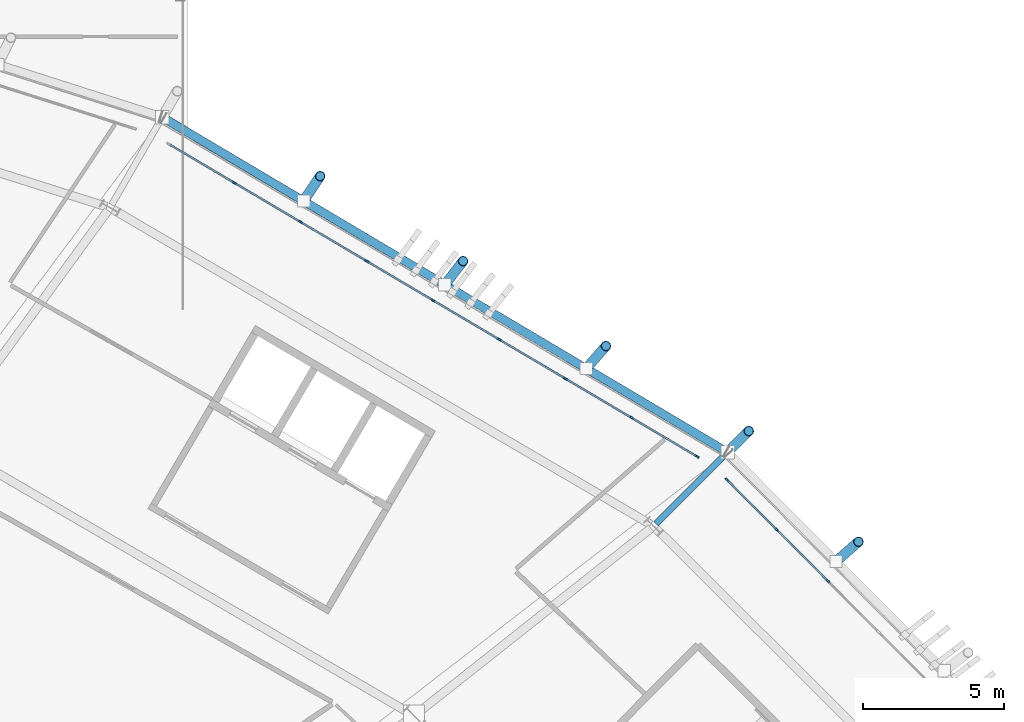
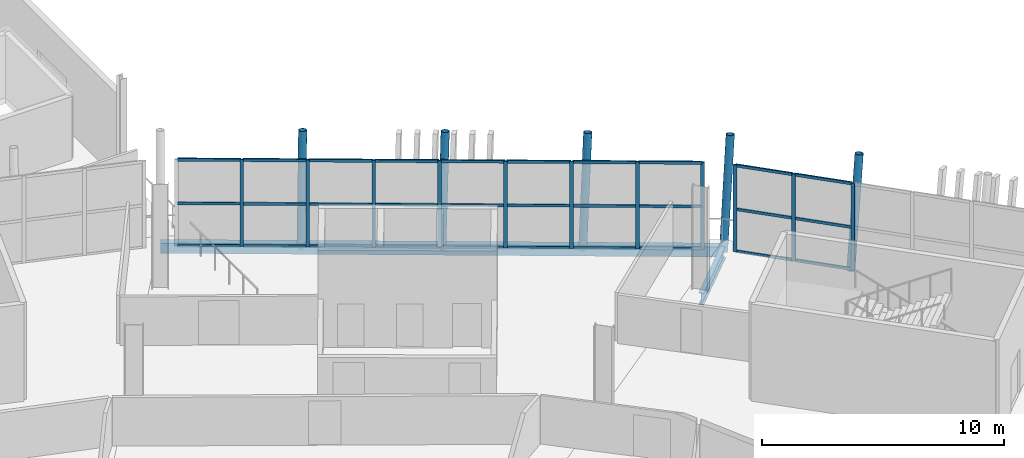
# One storey, part 78 of 168: 46 members, 2 beams, 2 elements without a shape of their own.
"""IFC4 building model written with IfcOpenShell, lengths in metres."""

from ifc_helpers import new_model, si_unit, direction, frame, origin, origin_2d, place, context, subcontext, project, spatial, rectangle, hollow_rectangle, hollow_circle, i_section, extrude, material, material_profile, profile_set, type_object, element, aggregate, save


model = new_model("IFC4")

# Units and contexts
model_context = context("Model", 3, precision=1e-05, world=origin(), true_north=direction((0.0, 1.0)))
body_context = subcontext(model_context, "Body", "Model", "MODEL_VIEW")
ifc_project = project(units=[si_unit("LENGTHUNIT", "METRE"), si_unit("AREAUNIT", "SQUARE_METRE"), si_unit("VOLUMEUNIT", "CUBIC_METRE"), si_unit("PLANEANGLEUNIT", "RADIAN"), si_unit("MASSUNIT", "GRAM", prefix="KILO")], contexts=[model_context])

# Site, building, storey
site_placement = place(None, origin())
site = spatial("IfcSite", under=ifc_project, at=site_placement, CompositionType="ELEMENT")
building_placement = place(site_placement, origin())
building = spatial("IfcBuilding", under=site, at=building_placement, Name="Zlatoyarsky Gate Stadium", CompositionType="ELEMENT")
storey_placement = place(building_placement, frame((0.0, 0.0, 15.60009765625)))
storey = spatial("IfcBuildingStorey", under=building, at=storey_placement, Name="L03", CompositionType="ELEMENT", Elevation=15.60009765625)

# Curtain wall, members
ifc_material_1 = material(Name="Thermally broken anodised aluminium curtain wall", Category="aluminium")
curtain_wall_type = type_object("IfcCurtainWallType", Name="UNITISED CORPORATE BOX GLAZING L03", PredefinedType="USERDEFINED", material=ifc_material_1)
curtain_wall_1_placement = place(storey_placement, origin())
curtain_wall_1 = element("IfcCurtainWall", 1, at=curtain_wall_1_placement, inside=storey, type_object=curtain_wall_type, Name="Curtain wall CW-L03-02", ObjectType="UNITISED GLAZING", PredefinedType="USERDEFINED")
ifc_material_2 = material(Name="Anodised aluminium 6063-T6", Category="aluminium")
ifc_material_profile_1 = material_profile(ifc_material_2, rectangle(XDim=0.06494140625, YDim=0.159912109375, at=origin_2d()), Name="ALU 65X160")
ifc_profile_set_1 = profile_set([ifc_material_profile_1], Name="Anodised aluminium 6063-T6")
member_type_1 = type_object("IfcMemberType", Name="ALUMINIUM MULLION 65X160", PredefinedType="MULLION", material=ifc_profile_set_1)
member_1_placement = place(storey_placement, frame((182.92724609375, 128.265625, 0.0), z_axis=(0.0, 0.0, 1.0), x_axis=(-0.708721143054, -0.705488725202, 0.0)))
member_1 = element("IfcMember", 2, at=member_1_placement, type_object=member_type_1, Name="CW-UG3 mullion 7", PredefinedType="MULLION", context=body_context, shape_type="SweptSolid", body=[
    extrude(rectangle(XDim=0.06494140625, YDim=0.159912109375, at=origin_2d()), origin(), (0.0, 0.0, 1.0), 4.3798828125),
])
member_2_placement = place(storey_placement, frame((181.134765625, 130.066162109375, 0.0), z_axis=(0.0, 0.0, 1.0), x_axis=(-0.708721143054, -0.705488725202, 0.0)))
member_2 = element("IfcMember", 3, at=member_2_placement, type_object=member_type_1, Name="CW-UG3 mullion 8", PredefinedType="MULLION", context=body_context, shape_type="SweptSolid", body=[
    extrude(rectangle(XDim=0.06494140625, YDim=0.159912109375, at=origin_2d()), origin(), (0.0, 0.0, 1.0), 4.3798828125),
])
member_3_placement = place(storey_placement, frame((179.365234375, 131.84375, 0.0), z_axis=(0.0, 0.0, 1.0), x_axis=(-0.708721143054, -0.705488725202, 0.0)))
member_3 = element("IfcMember", 4, at=member_3_placement, type_object=member_type_1, Name="CW-UG3 mullion 9", PredefinedType="MULLION", context=body_context, shape_type="SweptSolid", body=[
    extrude(rectangle(XDim=0.06494140625, YDim=0.159912109375, at=origin_2d()), origin(), (0.0, 0.0, 1.0), 4.3798828125),
])

curtain_wall_2_placement = place(storey_placement, origin())
curtain_wall_2 = element("IfcCurtainWall", 5, at=curtain_wall_2_placement, inside=storey, type_object=curtain_wall_type, Name="Curtain wall CW-L03-03", ObjectType="UNITISED GLAZING", PredefinedType="USERDEFINED")
member_4_placement = place(storey_placement, frame((178.29638671875, 132.675048828125, 0.0), z_axis=(0.0, 0.0, 1.0), x_axis=(-0.509098466593, -0.860708284678, 0.0)))
member_4 = element("IfcMember", 6, at=member_4_placement, type_object=member_type_1, Name="CW-UG3 mullion 1", PredefinedType="MULLION", context=body_context, shape_type="SweptSolid", body=[
    extrude(rectangle(XDim=0.06494140625, YDim=0.159912109375, at=origin_2d()), origin(), (0.0, 0.0, 1.0), 4.3798828125),
])
member_5_placement = place(storey_placement, frame((175.978759765625, 134.045654296875, 0.0), z_axis=(0.0, 0.0, 1.0), x_axis=(-0.509098466593, -0.860708284678, 0.0)))
member_5 = element("IfcMember", 7, at=member_5_placement, type_object=member_type_1, Name="CW-UG3 mullion 2", PredefinedType="MULLION", context=body_context, shape_type="SweptSolid", body=[
    extrude(rectangle(XDim=0.06494140625, YDim=0.159912109375, at=origin_2d()), origin(), (0.0, 0.0, 1.0), 4.3798828125),
])
member_6_placement = place(storey_placement, frame((173.63330078125, 135.43310546875, 0.0), z_axis=(0.0, 0.0, 1.0), x_axis=(-0.509098466593, -0.860708284678, 0.0)))
member_6 = element("IfcMember", 8, at=member_6_placement, type_object=member_type_1, Name="CW-UG3 mullion 3", PredefinedType="MULLION", context=body_context, shape_type="SweptSolid", body=[
    extrude(rectangle(XDim=0.06494140625, YDim=0.159912109375, at=origin_2d()), origin(), (0.0, 0.0, 1.0), 4.3798828125),
])
member_7_placement = place(storey_placement, frame((171.287841796875, 136.8203125, 0.0), z_axis=(0.0, 0.0, 1.0), x_axis=(-0.509098466593, -0.860708284678, 0.0)))
member_7 = element("IfcMember", 9, at=member_7_placement, type_object=member_type_1, Name="CW-UG3 mullion 4", PredefinedType="MULLION", context=body_context, shape_type="SweptSolid", body=[
    extrude(rectangle(XDim=0.06494140625, YDim=0.159912109375, at=origin_2d()), origin(), (0.0, 0.0, 1.0), 4.3798828125),
])
member_8_placement = place(storey_placement, frame((168.9423828125, 138.207763671875, 0.0), z_axis=(0.0, 0.0, 1.0), x_axis=(-0.509098466593, -0.860708284678, 0.0)))
member_8 = element("IfcMember", 10, at=member_8_placement, type_object=member_type_1, Name="CW-UG3 mullion 5", PredefinedType="MULLION", context=body_context, shape_type="SweptSolid", body=[
    extrude(rectangle(XDim=0.06494140625, YDim=0.159912109375, at=origin_2d()), origin(), (0.0, 0.0, 1.0), 4.3798828125),
])
member_9_placement = place(storey_placement, frame((166.596923828125, 139.594970703125, 0.0), z_axis=(0.0, 0.0, 1.0), x_axis=(-0.509098466593, -0.860708284678, 0.0)))
member_9 = element("IfcMember", 11, at=member_9_placement, type_object=member_type_1, Name="CW-UG3 mullion 6", PredefinedType="MULLION", context=body_context, shape_type="SweptSolid", body=[
    extrude(rectangle(XDim=0.06494140625, YDim=0.159912109375, at=origin_2d()), origin(), (0.0, 0.0, 1.0), 4.3798828125),
])
member_10_placement = place(storey_placement, frame((164.25146484375, 140.982177734375, 0.0), z_axis=(0.0, 0.0, 1.0), x_axis=(-0.509098466593, -0.860708284678, 0.0)))
member_10 = element("IfcMember", 12, at=member_10_placement, type_object=member_type_1, Name="CW-UG3 mullion 7", PredefinedType="MULLION", context=body_context, shape_type="SweptSolid", body=[
    extrude(rectangle(XDim=0.06494140625, YDim=0.159912109375, at=origin_2d()), origin(), (0.0, 0.0, 1.0), 4.3798828125),
])
member_11_placement = place(storey_placement, frame((161.906005859375, 142.36962890625, 0.0), z_axis=(0.0, 0.0, 1.0), x_axis=(-0.509098466593, -0.860708284678, 0.0)))
member_11 = element("IfcMember", 13, at=member_11_placement, type_object=member_type_1, Name="CW-UG3 mullion 8", PredefinedType="MULLION", context=body_context, shape_type="SweptSolid", body=[
    extrude(rectangle(XDim=0.06494140625, YDim=0.159912109375, at=origin_2d()), origin(), (0.0, 0.0, 1.0), 4.3798828125),
])

# Member
ifc_material_profile_2 = material_profile(ifc_material_2, rectangle(XDim=0.06494140625, YDim=0.139892578125, at=origin_2d()), Name="ALU 65X140")
ifc_profile_set_2 = profile_set([ifc_material_profile_2], Name="Anodised aluminium 6063-T6")
member_type_2 = type_object("IfcMemberType", Name="ALUMINIUM TRANSOM 65X140", PredefinedType="USERDEFINED", material=ifc_profile_set_2)
member_12_placement = place(storey_placement, frame((182.904296875, 128.28857421875, 0.032470703125), z_axis=(-0.705477793712, 0.708732024519, 0.0), x_axis=(-0.708732024519, -0.705477793712, 0.0)))
member_12 = element("IfcMember", 14, at=member_12_placement, type_object=member_type_2, Name="CW-UG3 transom 7.1", ObjectType="TRANSOM", PredefinedType="USERDEFINED", context=body_context, shape_type="SweptSolid", body=[
    extrude(rectangle(XDim=0.06494140625, YDim=0.139892578125, at=origin_2d()), origin(), (0.0, 0.0, 1.0), 2.475830078125),
])

member_13_placement = place(storey_placement, frame((182.904296875, 128.28857421875, 2.14990234375), z_axis=(-0.705477793712, 0.708732024519, 0.0), x_axis=(-0.708732024519, -0.705477793712, 0.0)))
member_13 = element("IfcMember", 15, at=member_13_placement, type_object=member_type_2, Name="CW-UG3 transom 7.2", ObjectType="TRANSOM", PredefinedType="USERDEFINED", context=body_context, shape_type="SweptSolid", body=[
    extrude(rectangle(XDim=0.06494140625, YDim=0.139892578125, at=origin_2d()), origin(), (0.0, 0.0, 1.0), 2.475830078125),
])

member_14_placement = place(storey_placement, frame((182.904296875, 128.28857421875, 4.347412109375), z_axis=(-0.705477793712, 0.708732024519, 0.0), x_axis=(-0.708732024519, -0.705477793712, 0.0)))
member_14 = element("IfcMember", 16, at=member_14_placement, type_object=member_type_2, Name="CW-UG3 transom 7.3", ObjectType="TRANSOM", PredefinedType="USERDEFINED", context=body_context, shape_type="SweptSolid", body=[
    extrude(rectangle(XDim=0.06494140625, YDim=0.139892578125, at=origin_2d()), origin(), (0.0, 0.0, 1.0), 2.475830078125),
])

member_15_placement = place(storey_placement, frame((181.11181640625, 130.089111328125, 0.032470703125), z_axis=(-0.705456130135, 0.708753587967, 0.0), x_axis=(-0.708753587967, -0.705456130135, 0.0)))
member_15 = element("IfcMember", 17, at=member_15_placement, type_object=member_type_2, Name="CW-UG3 transom 8.1", ObjectType="TRANSOM", PredefinedType="USERDEFINED", context=body_context, shape_type="SweptSolid", body=[
    extrude(rectangle(XDim=0.06494140625, YDim=0.139892578125, at=origin_2d()), origin(), (0.0, 0.0, 1.0), 2.443359375),
])

member_16_placement = place(storey_placement, frame((181.11181640625, 130.089111328125, 2.14990234375), z_axis=(-0.705456130135, 0.708753587967, 0.0), x_axis=(-0.708753587967, -0.705456130135, 0.0)))
member_16 = element("IfcMember", 18, at=member_16_placement, type_object=member_type_2, Name="CW-UG3 transom 8.2", ObjectType="TRANSOM", PredefinedType="USERDEFINED", context=body_context, shape_type="SweptSolid", body=[
    extrude(rectangle(XDim=0.06494140625, YDim=0.139892578125, at=origin_2d()), origin(), (0.0, 0.0, 1.0), 2.443359375),
])

member_17_placement = place(storey_placement, frame((181.11181640625, 130.089111328125, 4.347412109375), z_axis=(-0.705456130135, 0.708753587967, 0.0), x_axis=(-0.708753587967, -0.705456130135, 0.0)))
member_17 = element("IfcMember", 19, at=member_17_placement, type_object=member_type_2, Name="CW-UG3 transom 8.3", ObjectType="TRANSOM", PredefinedType="USERDEFINED", context=body_context, shape_type="SweptSolid", body=[
    extrude(rectangle(XDim=0.06494140625, YDim=0.139892578125, at=origin_2d()), origin(), (0.0, 0.0, 1.0), 2.443359375),
])

aggregate(curtain_wall_1, [member_1, member_2, member_3, member_12, member_13, member_14, member_15, member_16, member_17])

member_18_placement = place(storey_placement, frame((178.268310546875, 132.69140625, 0.032470703125), z_axis=(-0.860706316995, 0.509101793244, 0.0), x_axis=(-0.509101793244, -0.860706316995, 0.0)))
member_18 = element("IfcMember", 20, at=member_18_placement, type_object=member_type_2, Name="CW-UG3 transom 1.1", ObjectType="TRANSOM", PredefinedType="USERDEFINED", context=body_context, shape_type="SweptSolid", body=[
    extrude(rectangle(XDim=0.06494140625, YDim=0.139892578125, at=origin_2d()), origin(), (0.0, 0.0, 1.0), 2.62744140625),
])

member_19_placement = place(storey_placement, frame((178.268310546875, 132.69140625, 2.14990234375), z_axis=(-0.860706316995, 0.509101793244, 0.0), x_axis=(-0.509101793244, -0.860706316995, 0.0)))
member_19 = element("IfcMember", 21, at=member_19_placement, type_object=member_type_2, Name="CW-UG3 transom 1.2", ObjectType="TRANSOM", PredefinedType="USERDEFINED", context=body_context, shape_type="SweptSolid", body=[
    extrude(rectangle(XDim=0.06494140625, YDim=0.139892578125, at=origin_2d()), origin(), (0.0, 0.0, 1.0), 2.62744140625),
])

member_20_placement = place(storey_placement, frame((178.268310546875, 132.69140625, 4.347412109375), z_axis=(-0.860706316995, 0.509101793244, 0.0), x_axis=(-0.509101793244, -0.860706316995, 0.0)))
member_20 = element("IfcMember", 22, at=member_20_placement, type_object=member_type_2, Name="CW-UG3 transom 1.3", ObjectType="TRANSOM", PredefinedType="USERDEFINED", context=body_context, shape_type="SweptSolid", body=[
    extrude(rectangle(XDim=0.06494140625, YDim=0.139892578125, at=origin_2d()), origin(), (0.0, 0.0, 1.0), 2.62744140625),
])

member_21_placement = place(storey_placement, frame((175.950927734375, 134.062255859375, 0.032470703125), z_axis=(-0.860707189663, 0.509100317878, 0.0), x_axis=(-0.509100317878, -0.860707189663, 0.0)))
member_21 = element("IfcMember", 23, at=member_21_placement, type_object=member_type_2, Name="CW-UG3 transom 2.1", ObjectType="TRANSOM", PredefinedType="USERDEFINED", context=body_context, shape_type="SweptSolid", body=[
    extrude(rectangle(XDim=0.06494140625, YDim=0.139892578125, at=origin_2d()), origin(), (0.0, 0.0, 1.0), 2.66015625),
])

member_22_placement = place(storey_placement, frame((175.950927734375, 134.062255859375, 2.14990234375), z_axis=(-0.860707189663, 0.509100317878, 0.0), x_axis=(-0.509100317878, -0.860707189663, 0.0)))
member_22 = element("IfcMember", 24, at=member_22_placement, type_object=member_type_2, Name="CW-UG3 transom 2.2", ObjectType="TRANSOM", PredefinedType="USERDEFINED", context=body_context, shape_type="SweptSolid", body=[
    extrude(rectangle(XDim=0.06494140625, YDim=0.139892578125, at=origin_2d()), origin(), (0.0, 0.0, 1.0), 2.66015625),
])

member_23_placement = place(storey_placement, frame((175.950927734375, 134.062255859375, 4.347412109375), z_axis=(-0.860707189663, 0.509100317878, 0.0), x_axis=(-0.509100317878, -0.860707189663, 0.0)))
member_23 = element("IfcMember", 25, at=member_23_placement, type_object=member_type_2, Name="CW-UG3 transom 2.3", ObjectType="TRANSOM", PredefinedType="USERDEFINED", context=body_context, shape_type="SweptSolid", body=[
    extrude(rectangle(XDim=0.06494140625, YDim=0.139892578125, at=origin_2d()), origin(), (0.0, 0.0, 1.0), 2.66015625),
])

member_24_placement = place(storey_placement, frame((173.60546875, 135.449462890625, 0.032470703125), z_axis=(-0.860707189663, 0.509100317878, 0.0), x_axis=(-0.509100317878, -0.860707189663, 0.0)))
member_24 = element("IfcMember", 26, at=member_24_placement, type_object=member_type_2, Name="CW-UG3 transom 3.1", ObjectType="TRANSOM", PredefinedType="USERDEFINED", context=body_context, shape_type="SweptSolid", body=[
    extrude(rectangle(XDim=0.06494140625, YDim=0.139892578125, at=origin_2d()), origin(), (0.0, 0.0, 1.0), 2.66015625),
])

member_25_placement = place(storey_placement, frame((173.60546875, 135.449462890625, 2.14990234375), z_axis=(-0.860707189663, 0.509100317878, 0.0), x_axis=(-0.509100317878, -0.860707189663, 0.0)))
member_25 = element("IfcMember", 27, at=member_25_placement, type_object=member_type_2, Name="CW-UG3 transom 3.2", ObjectType="TRANSOM", PredefinedType="USERDEFINED", context=body_context, shape_type="SweptSolid", body=[
    extrude(rectangle(XDim=0.06494140625, YDim=0.139892578125, at=origin_2d()), origin(), (0.0, 0.0, 1.0), 2.66015625),
])

member_26_placement = place(storey_placement, frame((173.60546875, 135.449462890625, 4.347412109375), z_axis=(-0.860707189663, 0.509100317878, 0.0), x_axis=(-0.509100317878, -0.860707189663, 0.0)))
member_26 = element("IfcMember", 28, at=member_26_placement, type_object=member_type_2, Name="CW-UG3 transom 3.3", ObjectType="TRANSOM", PredefinedType="USERDEFINED", context=body_context, shape_type="SweptSolid", body=[
    extrude(rectangle(XDim=0.06494140625, YDim=0.139892578125, at=origin_2d()), origin(), (0.0, 0.0, 1.0), 2.66015625),
])

member_27_placement = place(storey_placement, frame((171.260009765625, 136.8369140625, 0.032470703125), z_axis=(-0.860707189663, 0.509100317878, 0.0), x_axis=(-0.509100317878, -0.860707189663, 0.0)))
member_27 = element("IfcMember", 29, at=member_27_placement, type_object=member_type_2, Name="CW-UG3 transom 4.1", ObjectType="TRANSOM", PredefinedType="USERDEFINED", context=body_context, shape_type="SweptSolid", body=[
    extrude(rectangle(XDim=0.06494140625, YDim=0.139892578125, at=origin_2d()), origin(), (0.0, 0.0, 1.0), 2.66015625),
])

member_28_placement = place(storey_placement, frame((171.260009765625, 136.8369140625, 2.14990234375), z_axis=(-0.860707189663, 0.509100317878, 0.0), x_axis=(-0.509100317878, -0.860707189663, 0.0)))
member_28 = element("IfcMember", 30, at=member_28_placement, type_object=member_type_2, Name="CW-UG3 transom 4.2", ObjectType="TRANSOM", PredefinedType="USERDEFINED", context=body_context, shape_type="SweptSolid", body=[
    extrude(rectangle(XDim=0.06494140625, YDim=0.139892578125, at=origin_2d()), origin(), (0.0, 0.0, 1.0), 2.66015625),
])

member_29_placement = place(storey_placement, frame((171.260009765625, 136.8369140625, 4.347412109375), z_axis=(-0.860707189663, 0.509100317878, 0.0), x_axis=(-0.509100317878, -0.860707189663, 0.0)))
member_29 = element("IfcMember", 31, at=member_29_placement, type_object=member_type_2, Name="CW-UG3 transom 4.3", ObjectType="TRANSOM", PredefinedType="USERDEFINED", context=body_context, shape_type="SweptSolid", body=[
    extrude(rectangle(XDim=0.06494140625, YDim=0.139892578125, at=origin_2d()), origin(), (0.0, 0.0, 1.0), 2.66015625),
])

member_30_placement = place(storey_placement, frame((168.91455078125, 138.22412109375, 0.032470703125), z_axis=(-0.860707189663, 0.509100317878, 0.0), x_axis=(-0.509100317878, -0.860707189663, 0.0)))
member_30 = element("IfcMember", 32, at=member_30_placement, type_object=member_type_2, Name="CW-UG3 transom 5.1", ObjectType="TRANSOM", PredefinedType="USERDEFINED", context=body_context, shape_type="SweptSolid", body=[
    extrude(rectangle(XDim=0.06494140625, YDim=0.139892578125, at=origin_2d()), origin(), (0.0, 0.0, 1.0), 2.66015625),
])

member_31_placement = place(storey_placement, frame((168.91455078125, 138.22412109375, 2.14990234375), z_axis=(-0.860707189663, 0.509100317878, 0.0), x_axis=(-0.509100317878, -0.860707189663, 0.0)))
member_31 = element("IfcMember", 33, at=member_31_placement, type_object=member_type_2, Name="CW-UG3 transom 5.2", ObjectType="TRANSOM", PredefinedType="USERDEFINED", context=body_context, shape_type="SweptSolid", body=[
    extrude(rectangle(XDim=0.06494140625, YDim=0.139892578125, at=origin_2d()), origin(), (0.0, 0.0, 1.0), 2.66015625),
])

member_32_placement = place(storey_placement, frame((168.91455078125, 138.22412109375, 4.347412109375), z_axis=(-0.860707189663, 0.509100317878, 0.0), x_axis=(-0.509100317878, -0.860707189663, 0.0)))
member_32 = element("IfcMember", 34, at=member_32_placement, type_object=member_type_2, Name="CW-UG3 transom 5.3", ObjectType="TRANSOM", PredefinedType="USERDEFINED", context=body_context, shape_type="SweptSolid", body=[
    extrude(rectangle(XDim=0.06494140625, YDim=0.139892578125, at=origin_2d()), origin(), (0.0, 0.0, 1.0), 2.66015625),
])

member_33_placement = place(storey_placement, frame((166.569091796875, 139.611572265625, 0.032470703125), z_axis=(-0.860707189663, 0.509100317878, 0.0), x_axis=(-0.509100317878, -0.860707189663, 0.0)))
member_33 = element("IfcMember", 35, at=member_33_placement, type_object=member_type_2, Name="CW-UG3 transom 6.1", ObjectType="TRANSOM", PredefinedType="USERDEFINED", context=body_context, shape_type="SweptSolid", body=[
    extrude(rectangle(XDim=0.06494140625, YDim=0.139892578125, at=origin_2d()), origin(), (0.0, 0.0, 1.0), 2.66015625),
])

member_34_placement = place(storey_placement, frame((166.569091796875, 139.611572265625, 2.14990234375), z_axis=(-0.860707189663, 0.509100317878, 0.0), x_axis=(-0.509100317878, -0.860707189663, 0.0)))
member_34 = element("IfcMember", 36, at=member_34_placement, type_object=member_type_2, Name="CW-UG3 transom 6.2", ObjectType="TRANSOM", PredefinedType="USERDEFINED", context=body_context, shape_type="SweptSolid", body=[
    extrude(rectangle(XDim=0.06494140625, YDim=0.139892578125, at=origin_2d()), origin(), (0.0, 0.0, 1.0), 2.66015625),
])

member_35_placement = place(storey_placement, frame((166.569091796875, 139.611572265625, 4.347412109375), z_axis=(-0.860707189663, 0.509100317878, 0.0), x_axis=(-0.509100317878, -0.860707189663, 0.0)))
member_35 = element("IfcMember", 37, at=member_35_placement, type_object=member_type_2, Name="CW-UG3 transom 6.3", ObjectType="TRANSOM", PredefinedType="USERDEFINED", context=body_context, shape_type="SweptSolid", body=[
    extrude(rectangle(XDim=0.06494140625, YDim=0.139892578125, at=origin_2d()), origin(), (0.0, 0.0, 1.0), 2.66015625),
])

member_36_placement = place(storey_placement, frame((164.2236328125, 140.998779296875, 0.032470703125), z_axis=(-0.860707189663, 0.509100317878, 0.0), x_axis=(-0.509100317878, -0.860707189663, 0.0)))
member_36 = element("IfcMember", 38, at=member_36_placement, type_object=member_type_2, Name="CW-UG3 transom 7.1", ObjectType="TRANSOM", PredefinedType="USERDEFINED", context=body_context, shape_type="SweptSolid", body=[
    extrude(rectangle(XDim=0.06494140625, YDim=0.139892578125, at=origin_2d()), origin(), (0.0, 0.0, 1.0), 2.66015625),
])

member_37_placement = place(storey_placement, frame((164.2236328125, 140.998779296875, 2.14990234375), z_axis=(-0.860707189663, 0.509100317878, 0.0), x_axis=(-0.509100317878, -0.860707189663, 0.0)))
member_37 = element("IfcMember", 39, at=member_37_placement, type_object=member_type_2, Name="CW-UG3 transom 7.2", ObjectType="TRANSOM", PredefinedType="USERDEFINED", context=body_context, shape_type="SweptSolid", body=[
    extrude(rectangle(XDim=0.06494140625, YDim=0.139892578125, at=origin_2d()), origin(), (0.0, 0.0, 1.0), 2.66015625),
])

member_38_placement = place(storey_placement, frame((164.2236328125, 140.998779296875, 4.347412109375), z_axis=(-0.860707189663, 0.509100317878, 0.0), x_axis=(-0.509100317878, -0.860707189663, 0.0)))
member_38 = element("IfcMember", 40, at=member_38_placement, type_object=member_type_2, Name="CW-UG3 transom 7.3", ObjectType="TRANSOM", PredefinedType="USERDEFINED", context=body_context, shape_type="SweptSolid", body=[
    extrude(rectangle(XDim=0.06494140625, YDim=0.139892578125, at=origin_2d()), origin(), (0.0, 0.0, 1.0), 2.66015625),
])

member_39_placement = place(storey_placement, frame((161.878173828125, 142.38623046875, 0.032470703125), z_axis=(-0.860730397217, 0.509061080133, 0.0), x_axis=(-0.509061080133, -0.860730397217, 0.0)))
member_39 = element("IfcMember", 41, at=member_39_placement, type_object=member_type_2, Name="CW-UG3 transom 8.1", ObjectType="TRANSOM", PredefinedType="USERDEFINED", context=body_context, shape_type="SweptSolid", body=[
    extrude(rectangle(XDim=0.06494140625, YDim=0.139892578125, at=origin_2d()), origin(), (0.0, 0.0, 1.0), 2.627685546875),
])

member_40_placement = place(storey_placement, frame((161.878173828125, 142.38623046875, 2.14990234375), z_axis=(-0.860730397217, 0.509061080133, 0.0), x_axis=(-0.509061080133, -0.860730397217, 0.0)))
member_40 = element("IfcMember", 42, at=member_40_placement, type_object=member_type_2, Name="CW-UG3 transom 8.2", ObjectType="TRANSOM", PredefinedType="USERDEFINED", context=body_context, shape_type="SweptSolid", body=[
    extrude(rectangle(XDim=0.06494140625, YDim=0.139892578125, at=origin_2d()), origin(), (0.0, 0.0, 1.0), 2.627685546875),
])

member_41_placement = place(storey_placement, frame((161.878173828125, 142.38623046875, 4.347412109375), z_axis=(-0.860730397217, 0.509061080133, 0.0), x_axis=(-0.509061080133, -0.860730397217, 0.0)))
member_41 = element("IfcMember", 43, at=member_41_placement, type_object=member_type_2, Name="CW-UG3 transom 8.3", ObjectType="TRANSOM", PredefinedType="USERDEFINED", context=body_context, shape_type="SweptSolid", body=[
    extrude(rectangle(XDim=0.06494140625, YDim=0.139892578125, at=origin_2d()), origin(), (0.0, 0.0, 1.0), 2.627685546875),
])

aggregate(curtain_wall_2, [member_4, member_5, member_6, member_7, member_8, member_9, member_10, member_11, member_18, member_19, member_20, member_21, member_22, member_23, member_24, member_25, member_26, member_27, member_28, member_29, member_30, member_31, member_32, member_33, member_34, member_35, member_36, member_37, member_38, member_39, member_40, member_41])

# Beam
ifc_material_3 = material(Name="Steel S355", Category="steel")
ifc_material_profile_3 = material_profile(ifc_material_3, i_section(OverallWidth=0.219970703125, OverallDepth=0.60009765625, WebThickness=0.011962890625, FlangeThickness=0.01904296875, FilletRadius=0.02392578125, at=origin_2d()), Name="IPE 600")
ifc_profile_set_3 = profile_set([ifc_material_profile_3], Name="Steel S355")
beam_type_1 = type_object("IfcBeamType", Name="STEEL CANTILEVER FLOOR BEAM IPE 600", PredefinedType="BEAM", material=ifc_profile_set_3)
beam_1_placement = place(storey_placement, frame((176.845703125, 130.28955078125, -0.580078125), z_axis=(0.707140856158, 0.707072704572, 0.0), x_axis=(-0.707072704572, 0.707140856158, 0.0)))
element("IfcBeam", 44, at=beam_1_placement, inside=storey, type_object=beam_type_1, Name="Beam B-IPE600 BM-L03-OUT-03", PredefinedType="BEAM", context=body_context, shape_type="SweptSolid", body=[
    extrude(i_section(OverallWidth=0.219970703125, OverallDepth=0.60009765625, WebThickness=0.011962890625, FlangeThickness=0.01904296875, FilletRadius=0.02392578125, at=origin_2d()), origin(), (0.0, 0.0, 1.0), 3.582275390625),
])

# Members
ifc_material_profile_4 = material_profile(ifc_material_3, hollow_circle(Radius=0.177734375, WallThickness=0.02001953125, at=origin_2d()), Name="CHS 355.6X20")
ifc_profile_set_4 = profile_set([ifc_material_profile_4], Name="Steel S355")
member_type_3 = type_object("IfcMemberType", Name="STEEL LEANING RIB RING STRUT CHS 355.6X20", PredefinedType="STRUT", material=ifc_profile_set_4)
member_42_placement = place(storey_placement, frame((179.37890625, 132.822509765625, -0.580078125), z_axis=(0.142688105255, 0.142688105255, 0.97942851155), x_axis=(-0.707106781187, 0.707106781187, 0.0)))
element("IfcMember", 45, at=member_42_placement, inside=storey, type_object=member_type_3, Name="Leaning ring strut 03 L03 to L04", PredefinedType="STRUT", context=body_context, shape_type="SweptSolid", body=[
    extrude(hollow_circle(Radius=0.177734375, WallThickness=0.02001953125, at=origin_2d()), origin(), (0.0, 0.0, 1.0), 5.288818359375),
])
for number, where, z_axis, x_axis, name in (
    (46, (183.220703125, 128.95458984375, -0.530029296875), (0.150758944474, 0.132289242241, 0.979679180675), (-0.659563347668, 0.75164898085, 0.0), "Outward-leaning bowl louvre fin rib L03 02-3"),
    (47, (174.371826171875, 135.790283203125, -0.530029296875), (0.132289242241, 0.150758944474, 0.979679180675), (-0.75164898085, 0.659563347668, 0.0), "Outward-leaning bowl louvre fin rib L03 03-1"),
):
    element("IfcMember", number, at=place(storey_placement, frame(where, z_axis=z_axis, x_axis=x_axis)), inside=storey, type_object=member_type_3, Name=name, PredefinedType="STRUT", context=body_context, shape_type="SweptSolid", body=[
        extrude(hollow_circle(Radius=0.177734375, WallThickness=0.02001953125, at=origin_2d()), origin(), (0.0, 0.0, 1.0), 5.287353515625),
    ])
member_43_placement = place(storey_placement, frame((169.364990234375, 138.75830078125, -0.530029296875), z_axis=(0.121863917023, 0.15880637008, 0.979760033146), x_axis=(-0.793335236523, 0.608785021572, 0.0)))
element("IfcMember", 48, at=member_43_placement, inside=storey, type_object=member_type_3, Name="Outward-leaning bowl louvre fin rib L03 03-2", PredefinedType="STRUT", context=body_context, shape_type="SweptSolid", body=[
    extrude(hollow_circle(Radius=0.177734375, WallThickness=0.02001953125, at=origin_2d()), origin(), (0.0, 0.0, 1.0), 5.286865234375),
])
member_44_placement = place(storey_placement, frame((164.35791015625, 141.72607421875, -0.530029296875), z_axis=(0.111417541829, 0.166826182606, 0.979670942802), x_axis=(-0.83158967587, 0.555390503148, 0.0)))
element("IfcMember", 49, at=member_44_placement, inside=storey, type_object=member_type_3, Name="Outward-leaning bowl louvre fin rib L03 03-3", PredefinedType="STRUT", context=body_context, shape_type="SweptSolid", body=[
    extrude(hollow_circle(Radius=0.177734375, WallThickness=0.02001953125, at=origin_2d()), origin(), (0.0, 0.0, 1.0), 5.287353515625),
])

# Beam
ifc_material_profile_5 = material_profile(ifc_material_3, hollow_rectangle(XDim=0.300048828125, YDim=0.5, WallThickness=0.02001953125, at=origin_2d()), Name="RHS 500X300X20")
ifc_profile_set_5 = profile_set([ifc_material_profile_5], Name="Steel S355")
beam_type_2 = type_object("IfcBeamType", Name="STEEL LOUVRE CARRIER SPANDREL RHS 500X300X20", PredefinedType="SPANDREL", material=ifc_profile_set_5)
beam_2_placement = place(storey_placement, frame((179.361572265625, 132.83251953125, -0.530029296875), z_axis=(-0.860225151422, 0.509914393659, 0.0), x_axis=(-0.509914393659, -0.860225151422, 0.0)))
element("IfcBeam", 50, at=beam_2_placement, inside=storey, type_object=beam_type_2, Name="Beam SP-RHS500 BM-L03-SPD-03", PredefinedType="SPANDREL", context=body_context, shape_type="SweptSolid", body=[
    extrude(hollow_rectangle(XDim=0.300048828125, YDim=0.5, WallThickness=0.02001953125, at=origin_2d()), origin(), (0.0, 0.0, 1.0), 23.24169921875),
])

save(model, "model.ifc")
